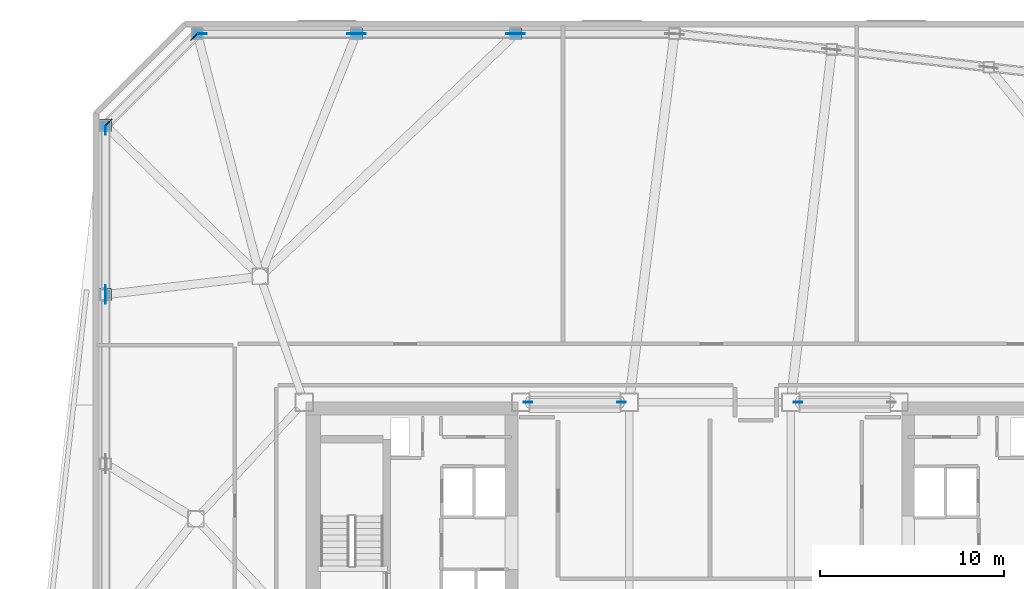
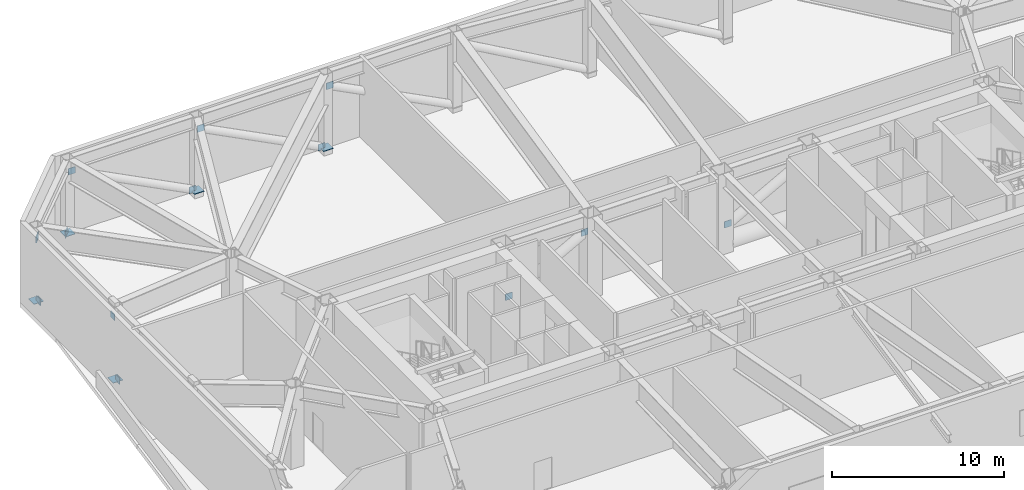
# One storey, part 9 of 12: 18 discrete accessories.
"""IFC4 building model written with IfcOpenShell, lengths in metres."""

import ifcopenshell
import ifcopenshell.guid

model = None  # the IFC model being written
_history = None  # IfcOwnerHistory: only IFC2X3 demands one
_inside = {}  # id of a spatial element -> (the spatial element, [elements in it])
_under = {}  # id of a project, library or spatial element -> (it, [spatial elements below it])
_declared = {}  # id of a project -> (the project, [libraries it declares])
_typed = {}  # id of a type object -> (the type object, [elements of that type])
_made_of = {}  # id of a material, layer set ... -> (it, [elements and type objects made of it])


def new_model(schema):
    """Start an empty IFC model of exactly this schema.

    Asked for "IFC4X3", IfcOpenShell would pick the latest addendum, in which some entities
    have other attributes; the version numbers below select the first issue.
    IFC2X3 requires an IfcOwnerHistory on every rooted entity: one is made here for all.
    """
    global model, _history
    if schema == "IFC4X3":
        model = ifcopenshell.file(schema_version=(4, 3, 0, 0))
    else:
        model = ifcopenshell.file(schema=schema)
    _inside.clear()
    _under.clear()
    _declared.clear()
    _typed.clear()
    _made_of.clear()
    _history = None
    if model.schema == "IFC2X3":
        org = make("IfcOrganization", Name="unknown")
        user = make(
            "IfcPersonAndOrganization",
            ThePerson=make("IfcPerson", FamilyName="unknown"),
            TheOrganization=org,
        )
        app = make(
            "IfcApplication",
            ApplicationDeveloper=org,
            Version="unknown",
            ApplicationFullName="unknown",
            ApplicationIdentifier="unknown",
        )
        _history = make(
            "IfcOwnerHistory",
            OwningUser=user,
            OwningApplication=app,
            ChangeAction="ADDED",
            CreationDate=0,
        )
    return model


def make(cls, **values):
    """One entity of the class cls with the attributes given. An attribute that is None is left unset."""
    return model.create_entity(
        cls, **{name: value for name, value in values.items() if value is not None}
    )


def rooted(cls, **values):
    """An entity with a GlobalId (a new one), such as an element, a storey or a relation."""
    return make(cls, GlobalId=ifcopenshell.guid.new(), OwnerHistory=_history, **values)


def si_unit(unit_type, name, prefix=None):
    """IfcSIUnit, for example si_unit("LENGTHUNIT", "METRE", prefix="MILLI")."""
    return make("IfcSIUnit", UnitType=unit_type, Prefix=prefix, Name=name)


def assignment(units):
    """IfcUnitAssignment: the units of a project."""
    return None if units is None else make("IfcUnitAssignment", Units=units)


def point(xyz):
    """IfcCartesianPoint."""
    return None if xyz is None else make("IfcCartesianPoint", Coordinates=xyz)


def direction(xyz):
    """IfcDirection."""
    return None if xyz is None else make("IfcDirection", DirectionRatios=xyz)


def frame(location, z_axis=None, x_axis=None):
    """IfcAxis2Placement3D, a coordinate frame: its origin and axes. An axis left out is left unset."""
    return make(
        "IfcAxis2Placement3D",
        Location=point(location),
        Axis=direction(z_axis),
        RefDirection=direction(x_axis),
    )


def frame_2d(location, x_axis=None):
    """IfcAxis2Placement2D, a coordinate frame in the plane: its origin and x axis."""
    return make(
        "IfcAxis2Placement2D", Location=point(location), RefDirection=direction(x_axis)
    )


def origin():
    """The frame at (0, 0, 0) with its axes left unset."""
    return frame((0.0, 0.0, 0.0))


def origin_2d():
    """The frame at (0, 0) in the plane with its x axis left unset."""
    return frame_2d((0.0, 0.0))


def place(relative_to, where):
    """IfcLocalPlacement: puts the frame where relative to a parent placement (None: the world)."""
    return make(
        "IfcLocalPlacement", PlacementRelTo=relative_to, RelativePlacement=where
    )


def context(
    kind, dimensions, precision=None, world=None, true_north=None, identifier=None
):
    """IfcGeometricRepresentationContext, for example the 3D "Model" context."""
    return make(
        "IfcGeometricRepresentationContext",
        ContextIdentifier=identifier,
        ContextType=kind,
        CoordinateSpaceDimension=dimensions,
        Precision=precision,
        WorldCoordinateSystem=world,
        TrueNorth=true_north,
    )


def subcontext(parent, identifier, kind, view, scale=None):
    """IfcGeometricRepresentationSubContext, for example "Body" below "Model"."""
    return make(
        "IfcGeometricRepresentationSubContext",
        ContextIdentifier=identifier,
        ContextType=kind,
        ParentContext=parent,
        TargetScale=scale,
        TargetView=view,
    )


def project(units=None, contexts=None):
    """IfcProject with its units and contexts."""
    return rooted(
        "IfcProject",
        Name="project",
        RepresentationContexts=contexts,
        UnitsInContext=assignment(units),
    )


def spatial(cls, under=None, at=None, **own):
    """A site, building, storey or space (cls), placed at a placement, below another one or the project."""
    s = rooted(cls, ObjectPlacement=at, **own)
    if under is not None:
        _under.setdefault(under.id(), (under, []))[1].append(s)
    return s


def profile(cls, at=None, kind="AREA", **sizes):
    """A parametric profile (cls). Its sizes go by their IFC names, for example OverallWidth=200.0."""
    return make(cls, ProfileType=kind, Position=at, **sizes)


def rectangle(**sizes):
    """IfcRectangleProfileDef."""
    return profile("IfcRectangleProfileDef", **sizes)


def extrude(swept, where, along, depth):
    """IfcExtrudedAreaSolid: the profile swept, set in the frame where, extruded along a direction by depth."""
    return make(
        "IfcExtrudedAreaSolid",
        SweptArea=swept,
        Position=where,
        ExtrudedDirection=direction(along),
        Depth=depth,
    )


def shape(context_of_items, identifier, shape_type, items):
    """IfcShapeRepresentation: the items that make up one representation, for example the "Body"."""
    return make(
        "IfcShapeRepresentation",
        ContextOfItems=context_of_items,
        RepresentationIdentifier=identifier,
        RepresentationType=shape_type,
        Items=items,
    )


def material(Name=None, Category=None):
    """IfcMaterial."""
    return make("IfcMaterial", Name=Name, Category=Category)


def made_of(thing, what):
    """Note that an element or type object is made of a material, layer set ...; save() writes the relation."""
    if what is not None:
        _made_of.setdefault(what.id(), (what, []))[1].append(thing)
    return thing


def type_object(cls, material=None, **own):
    """A type object (cls), such as IfcWallType, which elements share."""
    return made_of(rooted(cls, **own), material)


def element(
    cls,
    number,
    at=None,
    inside=None,
    cuts=None,
    type_object=None,
    material=None,
    context=None,
    identifier="Body",
    shape_type=None,
    held_by="IfcProductDefinitionShape",
    body=None,
    shapes=None,
    **own,
):
    """One element of the class cls, such as IfcWall. Its Tag is "e" and its number.

    at: its placement. inside: the storey or other place that contains it. cuts: it is an
    opening in that element (IfcRelVoidsElement). A single representation is given by context,
    identifier, shape_type and body (its items); several are given by shapes. held_by: the class
    of the entity that holds the representations. save() writes the other relations.
    """
    e = rooted(cls, Tag="e%d" % number, ObjectPlacement=at, **own)
    if body is not None:
        shapes = [shape(context, identifier, shape_type, body)]
    if shapes is not None:
        e.Representation = make(held_by, Representations=shapes)
    if inside is not None:
        _inside.setdefault(inside.id(), (inside, []))[1].append(e)
    if cuts is not None:
        rooted(
            "IfcRelVoidsElement", RelatingBuildingElement=cuts, RelatedOpeningElement=e
        )
    if type_object is not None:
        _typed.setdefault(type_object.id(), (type_object, []))[1].append(e)
    return made_of(e, material)


def aggregate(whole, parts):
    """IfcRelAggregates: a whole, such as a stair, and the parts it consists of."""
    return rooted("IfcRelAggregates", RelatingObject=whole, RelatedObjects=parts)


def save(model, path):
    """Write the relations noted so far, then the file.

    IfcRelAggregates (storeys below a building ...), IfcRelContainedInSpatialStructure (elements
    in a storey), IfcRelDefinesByType, IfcRelAssociatesMaterial and IfcRelDeclares: one each for
    every whole, place, type object, material and project.
    """
    for whole, parts in _under.values():
        aggregate(whole, parts)
    for where, things in _inside.values():
        rooted(
            "IfcRelContainedInSpatialStructure",
            RelatedElements=things,
            RelatingStructure=where,
        )
    for kind, things in _typed.values():
        rooted("IfcRelDefinesByType", RelatedObjects=things, RelatingType=kind)
    for what, things in _made_of.values():
        rooted("IfcRelAssociatesMaterial", RelatedObjects=things, RelatingMaterial=what)
    for by, libraries in _declared.values():
        rooted("IfcRelDeclares", RelatingContext=by, RelatedDefinitions=libraries)
    model.write(path)


model = new_model("IFC4")

# Units and contexts
model_context = context("Model", 3, precision=1e-05, world=origin(), true_north=direction((0.0, 1.0)))
body_context = subcontext(model_context, "Body", "Model", "MODEL_VIEW")
ifc_project = project(units=[si_unit("LENGTHUNIT", "METRE"), si_unit("AREAUNIT", "SQUARE_METRE"), si_unit("VOLUMEUNIT", "CUBIC_METRE"), si_unit("PLANEANGLEUNIT", "RADIAN"), si_unit("MASSUNIT", "GRAM", prefix="KILO")], contexts=[model_context])

# Site, building, storey
site_placement = place(None, origin())
site = spatial("IfcSite", under=ifc_project, at=site_placement, CompositionType="ELEMENT")
building_placement = place(site_placement, origin())
building = spatial("IfcBuilding", under=site, at=building_placement, Name="Tavrogorsk Clinical Tower", CompositionType="ELEMENT")
storey_placement = place(building_placement, frame((0.0, 0.0, 146.199951171875)))
storey = spatial("IfcBuildingStorey", under=building, at=storey_placement, Name="L33", CompositionType="ELEMENT", Elevation=146.199951171875)

# Discrete accessories
ifc_material_1 = material(Name="Structural steel S440", Category="steel")
discrete_accessory_type_1 = type_object("IfcDiscreteAccessoryType", Name="GussetPlateBracket_25", PredefinedType="BRACKET", material=ifc_material_1)
for number, where, z_axis, x_axis, name in (
    (1, (-10.3203125, 26.419921875, 4.419677734375), (0.0, 0.0, 1.0), (-1.0, 0.0, 0.0), "L33 Brace Gusset Plate EXOBELT-L33-18-B"),
    (2, (-10.868408203125, 26.419921875, 0.260498046875), (0.0, 0.0, 1.0), (-1.0, 0.0, 0.0), "L33 Brace Gusset Plate EXOBELT-L33-19-A"),
    (3, (-18.98291015625, 26.419921875, 4.419677734375), (0.0, 0.0, 1.0), (-1.0, 0.0, 0.0), "L33 Brace Gusset Plate EXOBELT-L33-19-B"),
    (4, (-19.53125, 26.419921875, 0.260498046875), (0.0, 0.0, 1.0), (-1.0, 0.0, 0.0), "L33 Brace Gusset Plate EXOBELT-L33-20-A"),
    (5, (-27.64599609375, 26.419921875, 4.419677734375), (0.0, 0.0, 1.0), (-1.0, 0.0, 0.0), "L33 Brace Gusset Plate EXOBELT-L33-20-B"),
    (6, (-28.1044921875, 26.235595703125, 0.283935546875), (0.0, 0.0, 1.0), (-0.707106781187, -0.707106781187, 0.0), "L33 Brace Gusset Plate EXOBELT-L33-21-A"),
    (7, (-32.735595703125, 21.6044921875, 4.396240234375), (0.0, 0.0, 1.0), (-0.707106781187, -0.707106781187, 0.0), "L33 Brace Gusset Plate EXOBELT-L33-21-B"),
    (8, (-32.919921875, 21.142578125, 0.25390625), (0.0, 0.0, 1.0), (0.0, -1.0, 0.0), "L33 Brace Gusset Plate EXOBELT-L33-22-A"),
    (9, (-32.919921875, 12.487548828125, 4.42626953125), (0.0, 0.0, 1.0), (0.0, -1.0, 0.0), "L33 Brace Gusset Plate EXOBELT-L33-22-B"),
    (10, (-32.919921875, 11.9326171875, 0.25390625), (0.0, 0.0, 1.0), (0.0, -1.0, 0.0), "L33 Brace Gusset Plate EXOBELT-L33-23-A"),
    (11, (-9.89599609375, 6.35009765625, 1.469970703125), (0.0, 0.0, 1.0), (1.0, 0.0, 0.0), "L33 Brace Gusset Plate ORDG-L33-02-A"),
    (12, (-4.803955078125, 6.35009765625, 4.240234375), (0.0, 0.0, 1.0), (1.0, 0.0, 0.0), "L33 Brace Gusset Plate ORDG-L33-02-B"),
    (13, (4.803955078125, 6.35009765625, 1.469970703125), (0.0, 0.0, 1.0), (1.0, 0.0, 0.0), "L33 Brace Gusset Plate ORDG-L33-04-A"),
):
    element("IfcDiscreteAccessory", number, at=place(storey_placement, frame(where, z_axis=z_axis, x_axis=x_axis)), inside=storey, type_object=discrete_accessory_type_1, Name=name, PredefinedType="BRACKET", context=body_context, shape_type="SweptSolid", body=[
        extrude(rectangle(XDim=0.4599609375, YDim=0.0400390625, at=origin_2d()), origin(), (0.0, 0.0, 1.0), 0.4599609375),
    ])
ifc_material_2 = material(Name="Structural steel S440", Category="steel")
discrete_accessory_type_2 = type_object("IfcDiscreteAccessoryType", Name="TrussEndCapBracket", PredefinedType="BRACKET", material=ifc_material_2)
for number, where, z_axis, x_axis, name in (
    (14, (-10.59423828125, 26.419921875, 0.330078125), (0.0, 0.0, 1.0), (1.0, 0.0, 0.0), "L33 Hollow Node End Cap N6"),
    (15, (-19.257080078125, 26.419921875, 0.330078125), (0.0, 0.0, 1.0), (1.0, 0.0, 0.0), "L33 Hollow Node End Cap N7"),
    (16, (-27.919921875, 26.419921875, 0.330078125), (0.0, 0.0, 1.0), (1.0, 0.0, 0.0), "L33 Hollow Node End Cap N8"),
    (17, (-32.919921875, 21.419921875, 0.330078125), (0.0, 0.0, 1.0), (1.0, 0.0, 0.0), "L33 Hollow Node End Cap W1"),
    (18, (-32.919921875, 12.2099609375, 0.330078125), (0.0, 0.0, 1.0), (1.0, 0.0, 0.0), "L33 Hollow Node End Cap W2"),
):
    element("IfcDiscreteAccessory", number, at=place(storey_placement, frame(where, z_axis=z_axis, x_axis=x_axis)), inside=storey, type_object=discrete_accessory_type_2, Name=name, PredefinedType="BRACKET", context=body_context, shape_type="SweptSolid", body=[
        extrude(rectangle(XDim=0.64990234375, YDim=0.64990234375, at=origin_2d()), origin(), (0.0, 0.0, 1.0), 0.0400390625),
    ])

save(model, "model.ifc")
